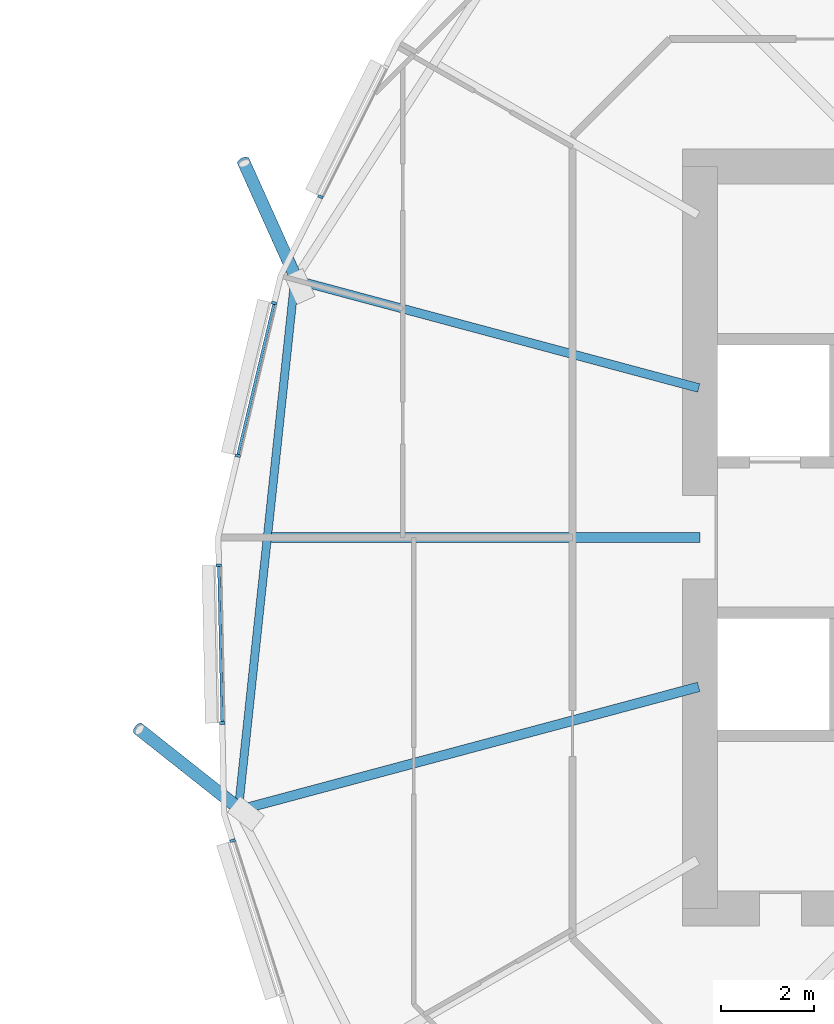
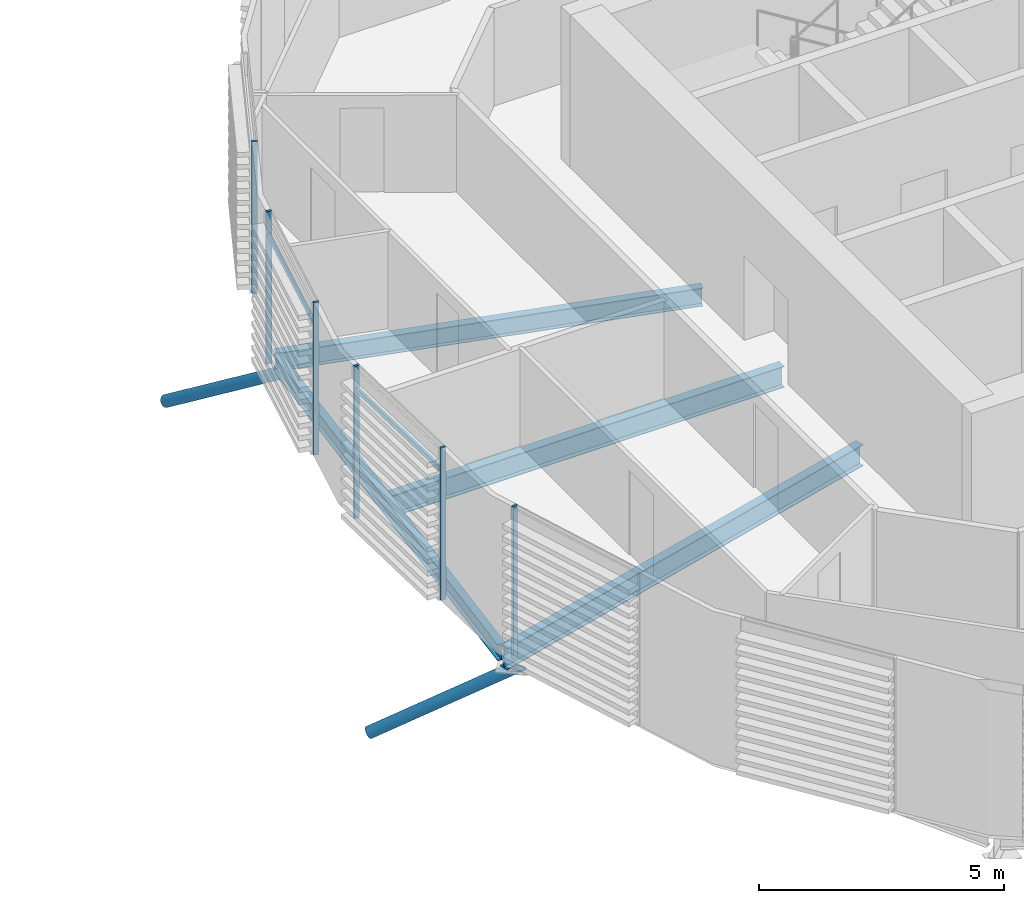
# One storey, part 14 of 42: 10 members, 4 beams, 1 element without a shape of its own.
"""IFC4 building model written with IfcOpenShell, lengths in metres."""

from ifc_helpers import new_model, si_unit, direction, frame, origin, origin_2d, place, context, subcontext, project, spatial, rectangle, hollow_circle, i_section, extrude, clip, halfspace, material, material_profile, profile_set, type_object, element, aggregate, save


model = new_model("IFC4")

# Units and contexts
model_context = context("Model", 3, precision=1e-05, world=origin(), true_north=direction((0.0, 1.0)))
body_context = subcontext(model_context, "Body", "Model", "MODEL_VIEW")
ifc_project = project(units=[si_unit("LENGTHUNIT", "METRE"), si_unit("AREAUNIT", "SQUARE_METRE"), si_unit("VOLUMEUNIT", "CUBIC_METRE"), si_unit("PLANEANGLEUNIT", "RADIAN"), si_unit("MASSUNIT", "GRAM", prefix="KILO")], contexts=[model_context])

# Site, building, storey
site_placement = place(None, origin())
site = spatial("IfcSite", under=ifc_project, at=site_placement, CompositionType="ELEMENT")
building_placement = place(site_placement, origin())
building = spatial("IfcBuilding", under=site, at=building_placement, Name="Rimbun Link Towers", CompositionType="ELEMENT")
storey_placement = place(building_placement, frame((0.0, 0.0, 85.39990234375)))
storey = spatial("IfcBuildingStorey", under=building, at=storey_placement, Name="L20", CompositionType="ELEMENT", Elevation=85.39990234375)

# Curtain wall, members
ifc_material_1 = material(Name="Aluminium 6063-T6 and low-iron glass", Category="aluminium")
curtain_wall_type = type_object("IfcCurtainWallType", Name="CW1-Z2 unitised vision wall (zone 2)", PredefinedType="NOTDEFINED", material=ifc_material_1)
curtain_wall_placement = place(storey_placement, origin())
curtain_wall = element("IfcCurtainWall", 1, at=curtain_wall_placement, inside=storey, type_object=curtain_wall_type, Name="CW1 L20 T2", PredefinedType="NOTDEFINED")
ifc_material_2 = material(Name="Aluminium 6063-T6", Category="aluminium")
ifc_material_profile_1 = material_profile(ifc_material_2, rectangle(XDim=0.1201171875, YDim=0.06005859375, at=origin_2d()), Name="MULLION 60X120")
ifc_profile_set_1 = profile_set([ifc_material_profile_1], Name="Aluminium 6063-T6")
member_type_1 = type_object("IfcMemberType", Name="CW1 mullion 60X120", PredefinedType="MULLION", material=ifc_profile_set_1)
member_1_placement = place(storey_placement, frame((11.5654296875, 7.347412109375, 0.0), z_axis=(0.0, 0.0, 1.0), x_axis=(-0.893637454336, 0.448789594585, 0.0)))
member_1 = element("IfcMember", 2, at=member_1_placement, type_object=member_type_1, Name="CW1 mullion", PredefinedType="MULLION", context=body_context, shape_type="SweptSolid", body=[
    extrude(rectangle(XDim=0.1201171875, YDim=0.06005859375, at=origin_2d()), origin(), (0.0, 0.0, 1.0), 3.800048828125),
])
member_2_placement = place(storey_placement, frame((9.781982421875, 1.7646484375, 0.0), z_axis=(0.0, 0.0, 1.0), x_axis=(-0.972576339867, 0.232583884072, 0.0)))
member_2 = element("IfcMember", 3, at=member_2_placement, type_object=member_type_1, Name="CW1 mullion", PredefinedType="MULLION", context=body_context, shape_type="SweptSolid", body=[
    extrude(rectangle(XDim=0.1201171875, YDim=0.06005859375, at=origin_2d()), origin(), (0.0, 0.0, 1.0), 3.800048828125),
])
member_3_placement = place(storey_placement, frame((10.568359375, 5.052978515625, 0.0), z_axis=(0.0, 0.0, 1.0), x_axis=(-0.972576339867, 0.232583884072, 0.0)))
member_3 = element("IfcMember", 4, at=member_3_placement, type_object=member_type_1, Name="CW1 mullion", PredefinedType="MULLION", context=body_context, shape_type="SweptSolid", body=[
    extrude(rectangle(XDim=0.1201171875, YDim=0.06005859375, at=origin_2d()), origin(), (0.0, 0.0, 1.0), 3.800048828125),
])
member_4_placement = place(storey_placement, frame((9.446044921875, -4.0009765625, 0.0), z_axis=(0.0, 0.0, 1.0), x_axis=(-0.999778284552, -0.02105663171, 0.0)))
member_4 = element("IfcMember", 5, at=member_4_placement, type_object=member_type_1, Name="CW1 mullion", PredefinedType="MULLION", context=body_context, shape_type="SweptSolid", body=[
    extrude(rectangle(XDim=0.1201171875, YDim=0.06005859375, at=origin_2d()), origin(), (0.0, 0.0, 1.0), 3.800048828125),
])
member_5_placement = place(storey_placement, frame((9.374267578125, -0.60107421875, 0.0), z_axis=(0.0, 0.0, 1.0), x_axis=(-0.999778284552, -0.02105663171, 0.0)))
member_5 = element("IfcMember", 6, at=member_5_placement, type_object=member_type_1, Name="CW1 mullion", PredefinedType="MULLION", context=body_context, shape_type="SweptSolid", body=[
    extrude(rectangle(XDim=0.1201171875, YDim=0.06005859375, at=origin_2d()), origin(), (0.0, 0.0, 1.0), 3.800048828125),
])
member_6_placement = place(storey_placement, frame((9.671630859375, -6.539306640625, 0.0), z_axis=(0.0, 0.0, 1.0), x_axis=(-0.952968251743, -0.303070142328, 0.0)))
member_6 = element("IfcMember", 7, at=member_6_placement, type_object=member_type_1, Name="CW1 mullion", PredefinedType="MULLION", context=body_context, shape_type="SweptSolid", body=[
    extrude(rectangle(XDim=0.1201171875, YDim=0.06005859375, at=origin_2d()), origin(), (0.0, 0.0, 1.0), 3.800048828125),
])
ifc_material_3 = material(Name="Aluminium 6063-T6", Category="aluminium")
ifc_material_profile_2 = material_profile(ifc_material_3, rectangle(XDim=0.06005859375, YDim=0.1201171875, at=origin_2d()), Name="TRANSOM 60X120")
ifc_profile_set_2 = profile_set([ifc_material_profile_2], Name="Aluminium 6063-T6")
member_type_2 = type_object("IfcMemberType", Name="CW1 transom 60X120", PredefinedType="USERDEFINED", material=ifc_profile_set_2)
member_7_placement = place(storey_placement, frame((9.791015625, 1.793212890625, 3.2001953125), z_axis=(0.23257774788, 0.972577807268, 0.0), x_axis=(-0.972577807268, 0.23257774788, 0.0)))
member_7 = element("IfcMember", 8, at=member_7_placement, type_object=member_type_2, Name="CW1 transom", ObjectType="TRANSOM", PredefinedType="USERDEFINED", context=body_context, shape_type="SweptSolid", body=[
    extrude(rectangle(XDim=0.06005859375, YDim=0.1201171875, at=origin_2d()), origin(), (0.0, 0.0, 1.0), 3.3212890625),
])
member_8_placement = place(storey_placement, frame((9.447265625, -3.970947265625, 3.2001953125), z_axis=(-0.021047967726, 0.999778466989, 0.0), x_axis=(-0.999778466989, -0.021047967726, 0.0)))
member_8 = element("IfcMember", 9, at=member_8_placement, type_object=member_type_2, Name="CW1 transom", ObjectType="TRANSOM", PredefinedType="USERDEFINED", context=body_context, shape_type="SweptSolid", body=[
    extrude(rectangle(XDim=0.06005859375, YDim=0.1201171875, at=origin_2d()), origin(), (0.0, 0.0, 1.0), 3.340576171875),
])
aggregate(curtain_wall, [member_1, member_2, member_3, member_4, member_5, member_6, member_7, member_8])

# Members
ifc_material_4 = material(Name="Steel S355J2H", Category="steel")
ifc_material_profile_3 = material_profile(ifc_material_4, hollow_circle(Radius=0.136474609375, WallThickness=0.012451171875, at=origin_2d()), Name="CHS 273x12.5")
ifc_profile_set_3 = profile_set([ifc_material_profile_3], Name="Steel S355J2H")
member_type_3 = type_object("IfcMemberType", Name="Floor edge link CHS 273x12.5", PredefinedType="BRACE", material=ifc_profile_set_3)
member_9_placement = place(storey_placement, frame((11.061279296875, 5.543701171875, -0.7275390625), z_axis=(-0.343610014342, 0.763078212518, -0.54739729596), x_axis=(-0.911820946721, -0.410588067436, 0.0)))
element("IfcMember", 10, at=member_9_placement, inside=storey, type_object=member_type_3, Name="Floor edge link T2 L20 08", PredefinedType="BRACE", context=body_context, shape_type="Clipping", body=[
    clip(extrude(hollow_circle(Radius=0.136474609375, WallThickness=0.012451171875, at=origin_2d()), frame((0.0, 0.0, -0.435791015625)), (0.0, 0.0, 1.0), 3.80224609375), halfspace(frame((0.0, 0.0, -0.205078125), z_axis=(0.0, 0.836872869901, -0.54739729596)), False)),
])
member_10_placement = place(storey_placement, frame((9.843994140625, -5.86962890625, -0.80810546875), z_axis=(-0.660360011743, 0.522584436065, -0.539286716018), x_axis=(-0.620556520174, -0.784161721375, 0.0)))
element("IfcMember", 11, at=member_10_placement, inside=storey, type_object=member_type_3, Name="Floor edge link T2 L20 10", PredefinedType="BRACE", context=body_context, shape_type="Clipping", body=[
    clip(extrude(hollow_circle(Radius=0.136474609375, WallThickness=0.012451171875, at=origin_2d()), frame((0.0, 0.0, -0.44482421875)), (0.0, 0.0, 1.0), 3.792236328125), halfspace(frame((0.0, 0.0, -0.209716796875), z_axis=(0.0, 0.842122222677, -0.539286716018)), False)),
])

# Beams
ifc_material_5 = material(Name="Steel S355J2", Category="steel")
ifc_material_profile_4 = material_profile(ifc_material_5, i_section(OverallWidth=0.177978515625, OverallDepth=0.406494140625, WebThickness=0.0078125, FlangeThickness=0.0126953125, at=origin_2d()), Name="UB 406x178x60")
ifc_profile_set_4 = profile_set([ifc_material_profile_4], Name="Steel S355J2")
beam_type_1 = type_object("IfcBeamType", Name="UB 406x178x60", PredefinedType="BEAM", material=ifc_profile_set_4)
beam_1_placement = place(storey_placement, frame((11.002685546875, 5.4599609375, -0.363037109375), z_axis=(-0.105820165315, -0.994385283787, 0.0), x_axis=(0.994385283787, -0.105820165315, 0.0)))
element("IfcBeam", 12, at=beam_1_placement, inside=storey, type_object=beam_type_1, Name="Edge beam T2 L20 08-10", PredefinedType="BEAM", context=body_context, shape_type="SweptSolid", body=[
    extrude(i_section(OverallWidth=0.177978515625, OverallDepth=0.406494140625, WebThickness=0.0078125, FlangeThickness=0.0126953125, at=origin_2d()), origin(), (0.0, 0.0, 1.0), 11.29345703125),
])
ifc_material_6 = material(Name="Steel S355J2", Category="steel")
ifc_material_profile_5 = material_profile(ifc_material_6, i_section(OverallWidth=0.18994140625, OverallDepth=0.453369140625, WebThickness=0.008544921875, FlangeThickness=0.0126953125, at=origin_2d()), Name="UB 457x191x67")
ifc_profile_set_5 = profile_set([ifc_material_profile_5], Name="Steel S355J2")
beam_type_2 = type_object("IfcBeamType", Name="UB 457x191x67", PredefinedType="BEAM", material=ifc_profile_set_5)
beam_2_placement = place(storey_placement, frame((19.724609375, 3.22216796875, -0.38671875), z_axis=(-0.965927389772, 0.258813210033, 0.0), x_axis=(-0.258813210033, -0.965927389772, 0.0)))
element("IfcBeam", 13, at=beam_2_placement, inside=storey, type_object=beam_type_2, Name="Radial beam T2 L20 08", PredefinedType="BEAM", context=body_context, shape_type="SweptSolid", body=[
    extrude(i_section(OverallWidth=0.18994140625, OverallDepth=0.453369140625, WebThickness=0.008544921875, FlangeThickness=0.0126953125, at=origin_2d()), origin(), (0.0, 0.0, 1.0), 9.01904296875),
])
ifc_material_7 = material(Name="Steel S355J2", Category="steel")
ifc_material_profile_6 = material_profile(ifc_material_7, i_section(OverallWidth=0.209228515625, OverallDepth=0.533203125, WebThickness=0.010009765625, FlangeThickness=0.015625, at=origin_2d()), Name="UB 533x210x92")
ifc_profile_set_6 = profile_set([ifc_material_profile_6], Name="Steel S355J2")
beam_type_3 = type_object("IfcBeamType", Name="UB 533x210x92", PredefinedType="BEAM", material=ifc_profile_set_6)
beam_3_placement = place(storey_placement, frame((19.7490234375, 0.0, -0.426513671875), z_axis=(-1.0, 0.0, 0.0), x_axis=(0.0, -1.0, 0.0)))
element("IfcBeam", 14, at=beam_3_placement, inside=storey, type_object=beam_type_3, Name="Radial beam T2 L20 09", PredefinedType="BEAM", context=body_context, shape_type="SweptSolid", body=[
    extrude(i_section(OverallWidth=0.209228515625, OverallDepth=0.533203125, WebThickness=0.010009765625, FlangeThickness=0.015625, at=origin_2d()), origin(), (0.0, 0.0, 1.0), 9.23681640625),
])
beam_4_placement = place(storey_placement, frame((19.721923828125, -3.222900390625, -0.426513671875), z_axis=(-0.965927478986, -0.258812877074, 0.0), x_axis=(0.258812877074, -0.965927478986, 0.0)))
element("IfcBeam", 15, at=beam_4_placement, inside=storey, type_object=beam_type_3, Name="Radial beam T2 L20 10", PredefinedType="BEAM", context=body_context, shape_type="SweptSolid", body=[
    extrude(i_section(OverallWidth=0.209228515625, OverallDepth=0.533203125, WebThickness=0.010009765625, FlangeThickness=0.015625, at=origin_2d()), origin(), (0.0, 0.0, 1.0), 10.2763671875),
])

save(model, "model.ifc")
